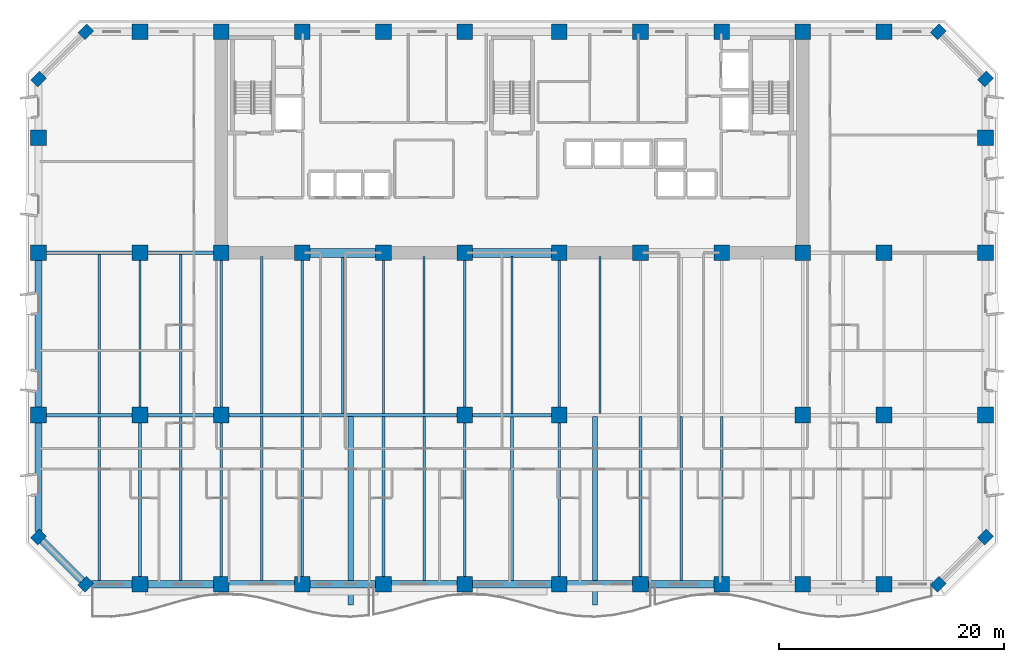
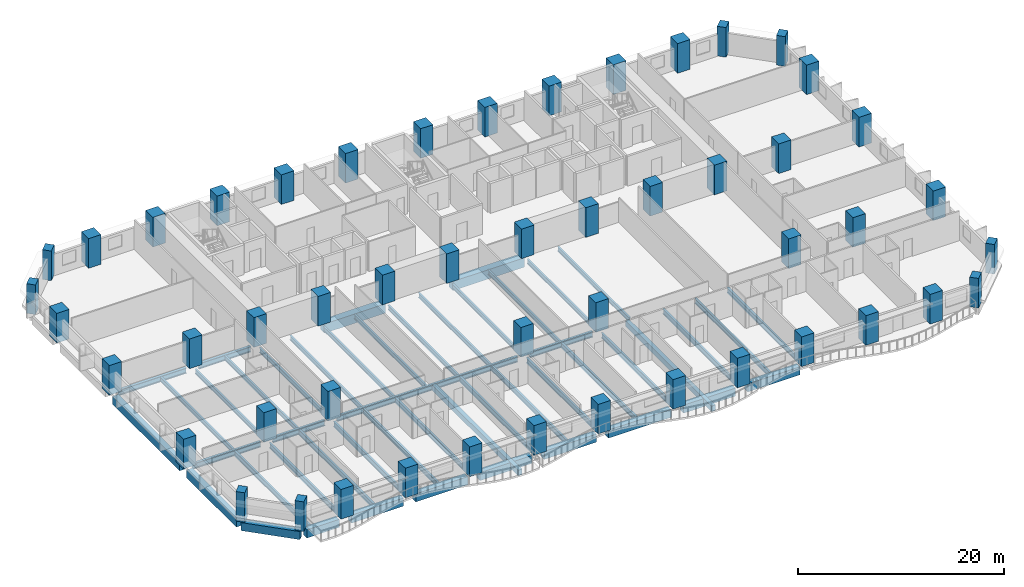
# One storey, part 1 of 15: 50 columns, 48 beams.
"""IFC4 building model written with IfcOpenShell, lengths in metres."""

from ifc_helpers import new_model, si_unit, direction, frame, origin, origin_2d, place, context, subcontext, project, spatial, rectangle, i_section, extrude, material, material_profile, profile_set, type_object, element, save


model = new_model("IFC4")

# Units and contexts
model_context = context("Model", 3, precision=1e-05, world=origin(), true_north=direction((0.0, 1.0)))
body_context = subcontext(model_context, "Body", "Model", "MODEL_VIEW")
ifc_project = project(units=[si_unit("LENGTHUNIT", "METRE"), si_unit("AREAUNIT", "SQUARE_METRE"), si_unit("VOLUMEUNIT", "CUBIC_METRE"), si_unit("PLANEANGLEUNIT", "RADIAN"), si_unit("MASSUNIT", "GRAM", prefix="KILO")], contexts=[model_context])

# Site, building, storey
site_placement = place(None, origin())
site = spatial("IfcSite", under=ifc_project, at=site_placement, CompositionType="ELEMENT")
building_placement = place(site_placement, origin())
building = spatial("IfcBuilding", under=site, at=building_placement, Name="Kaelvorn Grand Hotel", CompositionType="ELEMENT")
storey_placement = place(building_placement, frame((0.0, 0.0, 38.89990234375)))
storey = spatial("IfcBuildingStorey", under=building, at=storey_placement, Name="L07", CompositionType="ELEMENT", Elevation=38.89990234375)

# Columns
ifc_material_1 = material(Name="Concrete C80/95", Category="concrete")
ifc_material_profile_1 = material_profile(ifc_material_1, rectangle(XDim=1.10009765625, YDim=0.89990234375, at=origin_2d()), Name="RC PILASTER 1100x900")
ifc_profile_set_1 = profile_set([ifc_material_profile_1], Name="Concrete C80/95")
column_type_1 = type_object("IfcColumnType", Name="COL-PIL-1100x900-C80", PredefinedType="PILASTER", material=ifc_profile_set_1)
for number, where, z_axis, x_axis, name in (
    (1, (4.199951171875, 0.0, 0.0), (0.0, 0.0, 1.0), (0.707106781187, 0.707106781187, 0.0), "L07 Structural Column CH-01"),
    (2, (79.800048828125, 0.0, 0.0), (0.0, 0.0, 1.0), (0.707106781187, 0.707106781187, 0.0), "L07 Structural Column CH-02"),
    (3, (84.0, 4.199951171875, 0.0), (0.0, 0.0, 1.0), (0.707106781187, 0.707106781187, 0.0), "L07 Structural Column CH-03"),
    (4, (84.0, 44.800048828125, 0.0), (0.0, 0.0, 1.0), (0.707106781187, 0.707106781187, 0.0), "L07 Structural Column CH-04"),
    (5, (79.800048828125, 49.0, 0.0), (0.0, 0.0, 1.0), (0.707106781187, 0.707106781187, 0.0), "L07 Structural Column CH-05"),
    (6, (4.199951171875, 49.0, 0.0), (0.0, 0.0, 1.0), (0.707106781187, 0.707106781187, 0.0), "L07 Structural Column CH-06"),
    (7, (0.0, 44.800048828125, 0.0), (0.0, 0.0, 1.0), (0.707106781187, 0.707106781187, 0.0), "L07 Structural Column CH-07"),
    (8, (0.0, 4.199951171875, 0.0), (0.0, 0.0, 1.0), (0.707106781187, 0.707106781187, 0.0), "L07 Structural Column CH-08"),
):
    element("IfcColumn", number, at=place(storey_placement, frame(where, z_axis=z_axis, x_axis=x_axis)), inside=storey, type_object=column_type_1, Name=name, PredefinedType="PILASTER", context=body_context, shape_type="SweptSolid", body=[
        extrude(rectangle(XDim=1.10009765625, YDim=0.89990234375, at=origin_2d()), origin(), (0.0, 0.0, 1.0), 3.510009765625),
    ])
ifc_material_profile_2 = material_profile(ifc_material_1, rectangle(XDim=1.39990234375, YDim=1.39990234375, at=origin_2d()), Name="RC COL 1400x1400")
ifc_profile_set_2 = profile_set([ifc_material_profile_2], Name="Concrete C80/95")
column_type_2 = type_object("IfcColumnType", Name="COL-RC-1400-C80", PredefinedType="COLUMN", material=ifc_profile_set_2)
for number, where, z_axis, x_axis, name in (
    (9, (9.0, 0.0, 0.0), (0.0, 0.0, 1.0), (1.0, 0.0, 0.0), "L07 Structural Column S-01"),
    (10, (16.199951171875, 0.0, 0.0), (0.0, 0.0, 1.0), (1.0, 0.0, 0.0), "L07 Structural Column S-02"),
    (11, (23.39990234375, 0.0, 0.0), (0.0, 0.0, 1.0), (1.0, 0.0, 0.0), "L07 Structural Column S-03"),
    (12, (30.60009765625, 0.0, 0.0), (0.0, 0.0, 1.0), (1.0, 0.0, 0.0), "L07 Structural Column S-04"),
    (13, (37.800048828125, 0.0, 0.0), (0.0, 0.0, 1.0), (1.0, 0.0, 0.0), "L07 Structural Column S-05"),
    (14, (46.199951171875, 0.0, 0.0), (0.0, 0.0, 1.0), (1.0, 0.0, 0.0), "L07 Structural Column S-06"),
    (15, (53.39990234375, 0.0, 0.0), (0.0, 0.0, 1.0), (1.0, 0.0, 0.0), "L07 Structural Column S-07"),
    (16, (60.60009765625, 0.0, 0.0), (0.0, 0.0, 1.0), (1.0, 0.0, 0.0), "L07 Structural Column S-08"),
    (17, (67.800048828125, 0.0, 0.0), (0.0, 0.0, 1.0), (1.0, 0.0, 0.0), "L07 Structural Column S-09"),
    (18, (75.0, 0.0, 0.0), (0.0, 0.0, 1.0), (1.0, 0.0, 0.0), "L07 Structural Column S-10"),
    (19, (0.0, 15.0, 0.0), (0.0, 0.0, 1.0), (1.0, 0.0, 0.0), "L07 Structural Column W-01"),
    (20, (84.0, 15.0, 0.0), (0.0, 0.0, 1.0), (1.0, 0.0, 0.0), "L07 Structural Column E-01"),
    (21, (0.0, 29.39990234375, 0.0), (0.0, 0.0, 1.0), (1.0, 0.0, 0.0), "L07 Structural Column W-02"),
    (22, (84.0, 29.39990234375, 0.0), (0.0, 0.0, 1.0), (1.0, 0.0, 0.0), "L07 Structural Column E-02"),
    (23, (0.0, 39.60009765625, 0.0), (0.0, 0.0, 1.0), (1.0, 0.0, 0.0), "L07 Structural Column W-03"),
    (24, (84.0, 39.60009765625, 0.0), (0.0, 0.0, 1.0), (1.0, 0.0, 0.0), "L07 Structural Column E-03"),
    (25, (9.0, 15.0, 0.0), (0.0, 0.0, 1.0), (1.0, 0.0, 0.0), "L07 Structural Column M-01"),
    (26, (16.199951171875, 15.0, 0.0), (0.0, 0.0, 1.0), (1.0, 0.0, 0.0), "L07 Structural Column M-02"),
    (27, (37.800048828125, 15.0, 0.0), (0.0, 0.0, 1.0), (1.0, 0.0, 0.0), "L07 Structural Column M-03"),
    (28, (46.199951171875, 15.0, 0.0), (0.0, 0.0, 1.0), (1.0, 0.0, 0.0), "L07 Structural Column M-04"),
    (29, (67.800048828125, 15.0, 0.0), (0.0, 0.0, 1.0), (1.0, 0.0, 0.0), "L07 Structural Column M-05"),
    (30, (75.0, 15.0, 0.0), (0.0, 0.0, 1.0), (1.0, 0.0, 0.0), "L07 Structural Column M-06"),
    (31, (9.0, 29.39990234375, 0.0), (0.0, 0.0, 1.0), (1.0, 0.0, 0.0), "L07 Structural Column CR1-01"),
    (32, (9.0, 49.0, 0.0), (0.0, 0.0, 1.0), (1.0, 0.0, 0.0), "L07 Structural Column CR2-01"),
    (33, (16.199951171875, 29.39990234375, 0.0), (0.0, 0.0, 1.0), (1.0, 0.0, 0.0), "L07 Structural Column CR1-02"),
    (34, (16.199951171875, 49.0, 0.0), (0.0, 0.0, 1.0), (1.0, 0.0, 0.0), "L07 Structural Column CR2-02"),
    (35, (23.39990234375, 29.39990234375, 0.0), (0.0, 0.0, 1.0), (1.0, 0.0, 0.0), "L07 Structural Column CR1-03"),
    (36, (23.39990234375, 49.0, 0.0), (0.0, 0.0, 1.0), (1.0, 0.0, 0.0), "L07 Structural Column CR2-03"),
    (37, (30.60009765625, 29.39990234375, 0.0), (0.0, 0.0, 1.0), (1.0, 0.0, 0.0), "L07 Structural Column CR1-04"),
    (38, (30.60009765625, 49.0, 0.0), (0.0, 0.0, 1.0), (1.0, 0.0, 0.0), "L07 Structural Column CR2-04"),
    (39, (37.800048828125, 29.39990234375, 0.0), (0.0, 0.0, 1.0), (1.0, 0.0, 0.0), "L07 Structural Column CR1-05"),
    (40, (37.800048828125, 49.0, 0.0), (0.0, 0.0, 1.0), (1.0, 0.0, 0.0), "L07 Structural Column CR2-05"),
    (41, (46.199951171875, 29.39990234375, 0.0), (0.0, 0.0, 1.0), (1.0, 0.0, 0.0), "L07 Structural Column CR1-06"),
    (42, (46.199951171875, 49.0, 0.0), (0.0, 0.0, 1.0), (1.0, 0.0, 0.0), "L07 Structural Column CR2-06"),
    (43, (53.39990234375, 29.39990234375, 0.0), (0.0, 0.0, 1.0), (1.0, 0.0, 0.0), "L07 Structural Column CR1-07"),
    (44, (53.39990234375, 49.0, 0.0), (0.0, 0.0, 1.0), (1.0, 0.0, 0.0), "L07 Structural Column CR2-07"),
    (45, (60.60009765625, 29.39990234375, 0.0), (0.0, 0.0, 1.0), (1.0, 0.0, 0.0), "L07 Structural Column CR1-08"),
    (46, (60.60009765625, 49.0, 0.0), (0.0, 0.0, 1.0), (1.0, 0.0, 0.0), "L07 Structural Column CR2-08"),
    (47, (67.800048828125, 29.39990234375, 0.0), (0.0, 0.0, 1.0), (1.0, 0.0, 0.0), "L07 Structural Column CR1-09"),
    (48, (67.800048828125, 49.0, 0.0), (0.0, 0.0, 1.0), (1.0, 0.0, 0.0), "L07 Structural Column CR2-09"),
    (49, (75.0, 29.39990234375, 0.0), (0.0, 0.0, 1.0), (1.0, 0.0, 0.0), "L07 Structural Column CR1-10"),
    (50, (75.0, 49.0, 0.0), (0.0, 0.0, 1.0), (1.0, 0.0, 0.0), "L07 Structural Column CR2-10"),
):
    element("IfcColumn", number, at=place(storey_placement, frame(where, z_axis=z_axis, x_axis=x_axis)), inside=storey, type_object=column_type_2, Name=name, PredefinedType="COLUMN", context=body_context, shape_type="SweptSolid", body=[
        extrude(rectangle(XDim=1.39990234375, YDim=1.39990234375, at=origin_2d()), origin(), (0.0, 0.0, 1.0), 3.510009765625),
    ])

# Beams
ifc_material_2 = material(Name="Steel S355", Category="steel")
ifc_material_profile_3 = material_profile(ifc_material_2, i_section(OverallWidth=0.300048828125, OverallDepth=0.64990234375, WebThickness=0.01611328125, FlangeThickness=0.031005859375, FilletRadius=0.027099609375, at=origin_2d()), Name="HEB 650")
ifc_profile_set_3 = profile_set([ifc_material_profile_3], Name="Steel S355")
beam_type_1 = type_object("IfcBeamType", Name="BM-G-HEB650-S355", PredefinedType="BEAM", material=ifc_profile_set_3)
beam_1_placement = place(storey_placement, frame((0.68505859375, 15.0, -0.56494140625), z_axis=(1.0, 0.0, 0.0), x_axis=(0.0, 1.0, 0.0)))
element("IfcBeam", 51, at=beam_1_placement, inside=storey, type_object=beam_type_1, Name="L07 Primary Spine Steel Girder G-15 01", PredefinedType="BEAM", context=body_context, shape_type="SweptSolid", body=[
    extrude(i_section(OverallWidth=0.300048828125, OverallDepth=0.64990234375, WebThickness=0.01611328125, FlangeThickness=0.031005859375, FilletRadius=0.027099609375, at=origin_2d()), origin(), (0.0, 0.0, 1.0), 7.6298828125),
])
beam_2_placement = place(storey_placement, frame((9.68505859375, 15.0, -0.56494140625), z_axis=(1.0, 0.0, 0.0), x_axis=(0.0, 1.0, 0.0)))
element("IfcBeam", 52, at=beam_2_placement, inside=storey, type_object=beam_type_1, Name="L07 Primary Spine Steel Girder G-15 02", PredefinedType="BEAM", context=body_context, shape_type="SweptSolid", body=[
    extrude(i_section(OverallWidth=0.300048828125, OverallDepth=0.64990234375, WebThickness=0.01611328125, FlangeThickness=0.031005859375, FilletRadius=0.027099609375, at=origin_2d()), origin(), (0.0, 0.0, 1.0), 5.829833984375),
])
beam_3_placement = place(storey_placement, frame((16.885009765625, 15.0, -0.56494140625), z_axis=(1.0, 0.0, 0.0), x_axis=(0.0, 1.0, 0.0)))
element("IfcBeam", 53, at=beam_3_placement, inside=storey, type_object=beam_type_1, Name="L07 Primary Spine Steel Girder G-15 03", PredefinedType="BEAM", context=body_context, shape_type="SweptSolid", body=[
    extrude(i_section(OverallWidth=0.300048828125, OverallDepth=0.64990234375, WebThickness=0.01611328125, FlangeThickness=0.031005859375, FilletRadius=0.027099609375, at=origin_2d()), origin(), (0.0, 0.0, 1.0), 20.22998046875),
])
beam_4_placement = place(storey_placement, frame((38.485107421875, 15.0, -0.56494140625), z_axis=(1.0, 0.0, 0.0), x_axis=(0.0, 1.0, 0.0)))
element("IfcBeam", 54, at=beam_4_placement, inside=storey, type_object=beam_type_1, Name="L07 Primary Spine Steel Girder G-15 04", PredefinedType="BEAM", context=body_context, shape_type="SweptSolid", body=[
    extrude(i_section(OverallWidth=0.300048828125, OverallDepth=0.64990234375, WebThickness=0.01611328125, FlangeThickness=0.031005859375, FilletRadius=0.027099609375, at=origin_2d()), origin(), (0.0, 0.0, 1.0), 7.02978515625),
])
beam_5_placement = place(storey_placement, frame((0.68505859375, 29.39990234375, -0.56494140625), z_axis=(1.0, 0.0, 0.0), x_axis=(0.0, 1.0, 0.0)))
element("IfcBeam", 55, at=beam_5_placement, inside=storey, type_object=beam_type_1, Name="L07 West Core Wing Steel Girder G-29W 01", PredefinedType="BEAM", context=body_context, shape_type="SweptSolid", body=[
    extrude(i_section(OverallWidth=0.300048828125, OverallDepth=0.64990234375, WebThickness=0.01611328125, FlangeThickness=0.031005859375, FilletRadius=0.027099609375, at=origin_2d()), origin(), (0.0, 0.0, 1.0), 7.6298828125),
])
beam_6_placement = place(storey_placement, frame((9.68505859375, 29.39990234375, -0.56494140625), z_axis=(1.0, 0.0, 0.0), x_axis=(0.0, 1.0, 0.0)))
element("IfcBeam", 56, at=beam_6_placement, inside=storey, type_object=beam_type_1, Name="L07 West Core Wing Steel Girder G-29W 02", PredefinedType="BEAM", context=body_context, shape_type="SweptSolid", body=[
    extrude(i_section(OverallWidth=0.300048828125, OverallDepth=0.64990234375, WebThickness=0.01611328125, FlangeThickness=0.031005859375, FilletRadius=0.027099609375, at=origin_2d()), origin(), (0.0, 0.0, 1.0), 5.829833984375),
])
ifc_material_profile_4 = material_profile(ifc_material_2, i_section(OverallWidth=0.209228515625, OverallDepth=0.533203125, WebThickness=0.010009765625, FlangeThickness=0.015625, FilletRadius=0.0126953125, at=origin_2d()), Name="UB 533x210x92")
ifc_profile_set_4 = profile_set([ifc_material_profile_4], Name="Steel S355")
beam_type_2 = type_object("IfcBeamType", Name="BM-J-UB533-S355", PredefinedType="JOIST", material=ifc_profile_set_4)
beam_7_placement = place(storey_placement, frame((5.39990234375, 15.135009765625, -0.50634765625), z_axis=(0.0, 1.0, 0.0), x_axis=(-1.0, 0.0, 0.0)))
element("IfcBeam", 57, at=beam_7_placement, inside=storey, type_object=beam_type_2, Name="L07 Composite Floor Joist JM-02", PredefinedType="JOIST", context=body_context, shape_type="SweptSolid", body=[
    extrude(i_section(OverallWidth=0.209228515625, OverallDepth=0.533203125, WebThickness=0.010009765625, FlangeThickness=0.015625, FilletRadius=0.0126953125, at=origin_2d()), origin(), (0.0, 0.0, 1.0), 14.1298828125),
])
beam_8_placement = place(storey_placement, frame((9.0, 15.68505859375, -0.50634765625), z_axis=(0.0, 1.0, 0.0), x_axis=(-1.0, 0.0, 0.0)))
element("IfcBeam", 58, at=beam_8_placement, inside=storey, type_object=beam_type_2, Name="L07 Composite Floor Joist JM-03", PredefinedType="JOIST", context=body_context, shape_type="SweptSolid", body=[
    extrude(i_section(OverallWidth=0.209228515625, OverallDepth=0.533203125, WebThickness=0.010009765625, FlangeThickness=0.015625, FilletRadius=0.0126953125, at=origin_2d()), origin(), (0.0, 0.0, 1.0), 13.030029296875),
])
beam_9_placement = place(storey_placement, frame((12.60009765625, 15.135009765625, -0.50634765625), z_axis=(0.0, 1.0, 0.0), x_axis=(-1.0, 0.0, 0.0)))
element("IfcBeam", 59, at=beam_9_placement, inside=storey, type_object=beam_type_2, Name="L07 Composite Floor Joist JM-04", PredefinedType="JOIST", context=body_context, shape_type="SweptSolid", body=[
    extrude(i_section(OverallWidth=0.209228515625, OverallDepth=0.533203125, WebThickness=0.010009765625, FlangeThickness=0.015625, FilletRadius=0.0126953125, at=origin_2d()), origin(), (0.0, 0.0, 1.0), 14.1298828125),
])
beam_10_placement = place(storey_placement, frame((16.199951171875, 15.68505859375, -0.50634765625), z_axis=(0.0, 1.0, 0.0), x_axis=(-1.0, 0.0, 0.0)))
element("IfcBeam", 60, at=beam_10_placement, inside=storey, type_object=beam_type_2, Name="L07 Composite Floor Joist JM-05", PredefinedType="JOIST", context=body_context, shape_type="SweptSolid", body=[
    extrude(i_section(OverallWidth=0.209228515625, OverallDepth=0.533203125, WebThickness=0.010009765625, FlangeThickness=0.015625, FilletRadius=0.0126953125, at=origin_2d()), origin(), (0.0, 0.0, 1.0), 13.030029296875),
])
beam_11_placement = place(storey_placement, frame((19.800048828125, 15.135009765625, -0.50634765625), z_axis=(0.0, 1.0, 0.0), x_axis=(-1.0, 0.0, 0.0)))
element("IfcBeam", 61, at=beam_11_placement, inside=storey, type_object=beam_type_2, Name="L07 Composite Floor Joist JM-06", PredefinedType="JOIST", context=body_context, shape_type="SweptSolid", body=[
    extrude(i_section(OverallWidth=0.209228515625, OverallDepth=0.533203125, WebThickness=0.010009765625, FlangeThickness=0.015625, FilletRadius=0.0126953125, at=origin_2d()), origin(), (0.0, 0.0, 1.0), 13.925048828125),
])
beam_12_placement = place(storey_placement, frame((23.39990234375, 15.135009765625, -0.50634765625), z_axis=(0.0, 1.0, 0.0), x_axis=(-1.0, 0.0, 0.0)))
element("IfcBeam", 62, at=beam_12_placement, inside=storey, type_object=beam_type_2, Name="L07 Composite Floor Joist JM-07", PredefinedType="JOIST", context=body_context, shape_type="SweptSolid", body=[
    extrude(i_section(OverallWidth=0.209228515625, OverallDepth=0.533203125, WebThickness=0.010009765625, FlangeThickness=0.015625, FilletRadius=0.0126953125, at=origin_2d()), origin(), (0.0, 0.0, 1.0), 13.580078125),
])
beam_13_placement = place(storey_placement, frame((27.0, 15.135009765625, -0.50634765625), z_axis=(0.0, 1.0, 0.0), x_axis=(-1.0, 0.0, 0.0)))
element("IfcBeam", 63, at=beam_13_placement, inside=storey, type_object=beam_type_2, Name="L07 Composite Floor Joist JM-08", PredefinedType="JOIST", context=body_context, shape_type="SweptSolid", body=[
    extrude(i_section(OverallWidth=0.209228515625, OverallDepth=0.533203125, WebThickness=0.010009765625, FlangeThickness=0.015625, FilletRadius=0.0126953125, at=origin_2d()), origin(), (0.0, 0.0, 1.0), 13.925048828125),
])
beam_14_placement = place(storey_placement, frame((30.60009765625, 15.135009765625, -0.50634765625), z_axis=(0.0, 1.0, 0.0), x_axis=(-1.0, 0.0, 0.0)))
element("IfcBeam", 64, at=beam_14_placement, inside=storey, type_object=beam_type_2, Name="L07 Composite Floor Joist JM-09", PredefinedType="JOIST", context=body_context, shape_type="SweptSolid", body=[
    extrude(i_section(OverallWidth=0.209228515625, OverallDepth=0.533203125, WebThickness=0.010009765625, FlangeThickness=0.015625, FilletRadius=0.0126953125, at=origin_2d()), origin(), (0.0, 0.0, 1.0), 13.580078125),
])
beam_15_placement = place(storey_placement, frame((34.199951171875, 15.135009765625, -0.50634765625), z_axis=(0.0, 1.0, 0.0), x_axis=(-1.0, 0.0, 0.0)))
element("IfcBeam", 65, at=beam_15_placement, inside=storey, type_object=beam_type_2, Name="L07 Composite Floor Joist JM-10", PredefinedType="JOIST", context=body_context, shape_type="SweptSolid", body=[
    extrude(i_section(OverallWidth=0.209228515625, OverallDepth=0.533203125, WebThickness=0.010009765625, FlangeThickness=0.015625, FilletRadius=0.0126953125, at=origin_2d()), origin(), (0.0, 0.0, 1.0), 13.925048828125),
])
beam_16_placement = place(storey_placement, frame((37.800048828125, 15.68505859375, -0.50634765625), z_axis=(0.0, 1.0, 0.0), x_axis=(-1.0, 0.0, 0.0)))
element("IfcBeam", 66, at=beam_16_placement, inside=storey, type_object=beam_type_2, Name="L07 Composite Floor Joist JM-11", PredefinedType="JOIST", context=body_context, shape_type="SweptSolid", body=[
    extrude(i_section(OverallWidth=0.209228515625, OverallDepth=0.533203125, WebThickness=0.010009765625, FlangeThickness=0.015625, FilletRadius=0.0126953125, at=origin_2d()), origin(), (0.0, 0.0, 1.0), 13.030029296875),
])
beam_17_placement = place(storey_placement, frame((42.0, 15.135009765625, -0.50634765625), z_axis=(0.0, 1.0, 0.0), x_axis=(-1.0, 0.0, 0.0)))
element("IfcBeam", 67, at=beam_17_placement, inside=storey, type_object=beam_type_2, Name="L07 Composite Floor Joist JM-12", PredefinedType="JOIST", context=body_context, shape_type="SweptSolid", body=[
    extrude(i_section(OverallWidth=0.209228515625, OverallDepth=0.533203125, WebThickness=0.010009765625, FlangeThickness=0.015625, FilletRadius=0.0126953125, at=origin_2d()), origin(), (0.0, 0.0, 1.0), 13.925048828125),
])
beam_18_placement = place(storey_placement, frame((46.199951171875, 15.68505859375, -0.50634765625), z_axis=(0.0, 1.0, 0.0), x_axis=(-1.0, 0.0, 0.0)))
element("IfcBeam", 68, at=beam_18_placement, inside=storey, type_object=beam_type_2, Name="L07 Composite Floor Joist JM-13", PredefinedType="JOIST", context=body_context, shape_type="SweptSolid", body=[
    extrude(i_section(OverallWidth=0.209228515625, OverallDepth=0.533203125, WebThickness=0.010009765625, FlangeThickness=0.015625, FilletRadius=0.0126953125, at=origin_2d()), origin(), (0.0, 0.0, 1.0), 13.030029296875),
])
beam_19_placement = place(storey_placement, frame((49.800048828125, 15.135009765625, -0.50634765625), z_axis=(0.0, 1.0, 0.0), x_axis=(-1.0, 0.0, 0.0)))
element("IfcBeam", 69, at=beam_19_placement, inside=storey, type_object=beam_type_2, Name="L07 Composite Floor Joist JM-14", PredefinedType="JOIST", context=body_context, shape_type="SweptSolid", body=[
    extrude(i_section(OverallWidth=0.209228515625, OverallDepth=0.533203125, WebThickness=0.010009765625, FlangeThickness=0.015625, FilletRadius=0.0126953125, at=origin_2d()), origin(), (0.0, 0.0, 1.0), 13.925048828125),
])
ifc_material_profile_5 = material_profile(ifc_material_2, i_section(OverallWidth=0.22900390625, OverallDepth=0.6123046875, WebThickness=0.011962890625, FlangeThickness=0.01953125, FilletRadius=0.0126953125, at=origin_2d()), Name="UB 610x229x125")
ifc_profile_set_5 = profile_set([ifc_material_profile_5], Name="Steel S355")
beam_type_3 = type_object("IfcBeamType", Name="BM-J-UB610-S355", PredefinedType="JOIST", material=ifc_profile_set_5)
beam_20_placement = place(storey_placement, frame((5.39990234375, 0.31005859375, -0.5458984375), z_axis=(0.0, 1.0, 0.0), x_axis=(-1.0, 0.0, 0.0)))
element("IfcBeam", 70, at=beam_20_placement, inside=storey, type_object=beam_type_3, Name="L07 Composite Floor Joist JS-02", PredefinedType="JOIST", context=body_context, shape_type="SweptSolid", body=[
    extrude(i_section(OverallWidth=0.22900390625, OverallDepth=0.6123046875, WebThickness=0.011962890625, FlangeThickness=0.01953125, FilletRadius=0.0126953125, at=origin_2d()), origin(), (0.0, 0.0, 1.0), 14.554931640625),
])
beam_21_placement = place(storey_placement, frame((9.0, 0.68505859375, -0.5458984375), z_axis=(0.0, 1.0, 0.0), x_axis=(-1.0, 0.0, 0.0)))
element("IfcBeam", 71, at=beam_21_placement, inside=storey, type_object=beam_type_3, Name="L07 Composite Floor Joist JS-03", PredefinedType="JOIST", context=body_context, shape_type="SweptSolid", body=[
    extrude(i_section(OverallWidth=0.22900390625, OverallDepth=0.6123046875, WebThickness=0.011962890625, FlangeThickness=0.01953125, FilletRadius=0.0126953125, at=origin_2d()), origin(), (0.0, 0.0, 1.0), 13.6298828125),
])
beam_22_placement = place(storey_placement, frame((12.60009765625, 0.31005859375, -0.5458984375), z_axis=(0.0, 1.0, 0.0), x_axis=(-1.0, 0.0, 0.0)))
element("IfcBeam", 72, at=beam_22_placement, inside=storey, type_object=beam_type_3, Name="L07 Composite Floor Joist JS-04", PredefinedType="JOIST", context=body_context, shape_type="SweptSolid", body=[
    extrude(i_section(OverallWidth=0.22900390625, OverallDepth=0.6123046875, WebThickness=0.011962890625, FlangeThickness=0.01953125, FilletRadius=0.0126953125, at=origin_2d()), origin(), (0.0, 0.0, 1.0), 14.554931640625),
])
beam_23_placement = place(storey_placement, frame((16.199951171875, 0.68505859375, -0.5458984375), z_axis=(0.0, 1.0, 0.0), x_axis=(-1.0, 0.0, 0.0)))
element("IfcBeam", 73, at=beam_23_placement, inside=storey, type_object=beam_type_3, Name="L07 Composite Floor Joist JS-05", PredefinedType="JOIST", context=body_context, shape_type="SweptSolid", body=[
    extrude(i_section(OverallWidth=0.22900390625, OverallDepth=0.6123046875, WebThickness=0.011962890625, FlangeThickness=0.01953125, FilletRadius=0.0126953125, at=origin_2d()), origin(), (0.0, 0.0, 1.0), 13.6298828125),
])
beam_24_placement = place(storey_placement, frame((19.800048828125, 0.31005859375, -0.5458984375), z_axis=(0.0, 1.0, 0.0), x_axis=(-1.0, 0.0, 0.0)))
element("IfcBeam", 74, at=beam_24_placement, inside=storey, type_object=beam_type_3, Name="L07 Composite Floor Joist JS-06", PredefinedType="JOIST", context=body_context, shape_type="SweptSolid", body=[
    extrude(i_section(OverallWidth=0.22900390625, OverallDepth=0.6123046875, WebThickness=0.011962890625, FlangeThickness=0.01953125, FilletRadius=0.0126953125, at=origin_2d()), origin(), (0.0, 0.0, 1.0), 14.554931640625),
])
for number, where, z_axis, x_axis, name in (
    (75, (23.39990234375, 0.68505859375, -0.5458984375), (0.0, 1.0, 0.0), (-1.0, 0.0, 0.0), "L07 Composite Floor Joist JS-07"),
    (76, (30.60009765625, 0.68505859375, -0.5458984375), (0.0, 1.0, 0.0), (-1.0, 0.0, 0.0), "L07 Composite Floor Joist JS-09"),
):
    element("IfcBeam", number, at=place(storey_placement, frame(where, z_axis=z_axis, x_axis=x_axis)), inside=storey, type_object=beam_type_3, Name=name, PredefinedType="JOIST", context=body_context, shape_type="SweptSolid", body=[
        extrude(i_section(OverallWidth=0.22900390625, OverallDepth=0.6123046875, WebThickness=0.011962890625, FlangeThickness=0.01953125, FilletRadius=0.0126953125, at=origin_2d()), origin(), (0.0, 0.0, 1.0), 14.179931640625),
    ])
beam_25_placement = place(storey_placement, frame((34.199951171875, 0.31005859375, -0.5458984375), z_axis=(0.0, 1.0, 0.0), x_axis=(-1.0, 0.0, 0.0)))
element("IfcBeam", 77, at=beam_25_placement, inside=storey, type_object=beam_type_3, Name="L07 Composite Floor Joist JS-10", PredefinedType="JOIST", context=body_context, shape_type="SweptSolid", body=[
    extrude(i_section(OverallWidth=0.22900390625, OverallDepth=0.6123046875, WebThickness=0.011962890625, FlangeThickness=0.01953125, FilletRadius=0.0126953125, at=origin_2d()), origin(), (0.0, 0.0, 1.0), 14.554931640625),
])
beam_26_placement = place(storey_placement, frame((37.800048828125, 0.68505859375, -0.5458984375), z_axis=(0.0, 1.0, 0.0), x_axis=(-1.0, 0.0, 0.0)))
element("IfcBeam", 78, at=beam_26_placement, inside=storey, type_object=beam_type_3, Name="L07 Composite Floor Joist JS-11", PredefinedType="JOIST", context=body_context, shape_type="SweptSolid", body=[
    extrude(i_section(OverallWidth=0.22900390625, OverallDepth=0.6123046875, WebThickness=0.011962890625, FlangeThickness=0.01953125, FilletRadius=0.0126953125, at=origin_2d()), origin(), (0.0, 0.0, 1.0), 13.6298828125),
])
beam_27_placement = place(storey_placement, frame((42.0, 0.31005859375, -0.5458984375), z_axis=(0.0, 1.0, 0.0), x_axis=(-1.0, 0.0, 0.0)))
element("IfcBeam", 79, at=beam_27_placement, inside=storey, type_object=beam_type_3, Name="L07 Composite Floor Joist JS-12", PredefinedType="JOIST", context=body_context, shape_type="SweptSolid", body=[
    extrude(i_section(OverallWidth=0.22900390625, OverallDepth=0.6123046875, WebThickness=0.011962890625, FlangeThickness=0.01953125, FilletRadius=0.0126953125, at=origin_2d()), origin(), (0.0, 0.0, 1.0), 14.554931640625),
])
beam_28_placement = place(storey_placement, frame((46.199951171875, 0.68505859375, -0.5458984375), z_axis=(0.0, 1.0, 0.0), x_axis=(-1.0, 0.0, 0.0)))
element("IfcBeam", 80, at=beam_28_placement, inside=storey, type_object=beam_type_3, Name="L07 Composite Floor Joist JS-13", PredefinedType="JOIST", context=body_context, shape_type="SweptSolid", body=[
    extrude(i_section(OverallWidth=0.22900390625, OverallDepth=0.6123046875, WebThickness=0.011962890625, FlangeThickness=0.01953125, FilletRadius=0.0126953125, at=origin_2d()), origin(), (0.0, 0.0, 1.0), 13.6298828125),
])
beam_29_placement = place(storey_placement, frame((53.39990234375, 0.68505859375, -0.5458984375), z_axis=(0.0, 1.0, 0.0), x_axis=(-1.0, 0.0, 0.0)))
element("IfcBeam", 81, at=beam_29_placement, inside=storey, type_object=beam_type_3, Name="L07 Composite Floor Joist JS-15", PredefinedType="JOIST", context=body_context, shape_type="SweptSolid", body=[
    extrude(i_section(OverallWidth=0.22900390625, OverallDepth=0.6123046875, WebThickness=0.011962890625, FlangeThickness=0.01953125, FilletRadius=0.0126953125, at=origin_2d()), origin(), (0.0, 0.0, 1.0), 14.179931640625),
])
beam_30_placement = place(storey_placement, frame((57.0, 0.31005859375, -0.5458984375), z_axis=(0.0, 1.0, 0.0), x_axis=(-1.0, 0.0, 0.0)))
element("IfcBeam", 82, at=beam_30_placement, inside=storey, type_object=beam_type_3, Name="L07 Composite Floor Joist JS-16", PredefinedType="JOIST", context=body_context, shape_type="SweptSolid", body=[
    extrude(i_section(OverallWidth=0.22900390625, OverallDepth=0.6123046875, WebThickness=0.011962890625, FlangeThickness=0.01953125, FilletRadius=0.0126953125, at=origin_2d()), origin(), (0.0, 0.0, 1.0), 14.554931640625),
])
beam_31_placement = place(storey_placement, frame((60.60009765625, 0.68505859375, -0.5458984375), z_axis=(0.0, 1.0, 0.0), x_axis=(-1.0, 0.0, 0.0)))
element("IfcBeam", 83, at=beam_31_placement, inside=storey, type_object=beam_type_3, Name="L07 Composite Floor Joist JS-17", PredefinedType="JOIST", context=body_context, shape_type="SweptSolid", body=[
    extrude(i_section(OverallWidth=0.22900390625, OverallDepth=0.6123046875, WebThickness=0.011962890625, FlangeThickness=0.01953125, FilletRadius=0.0126953125, at=origin_2d()), origin(), (0.0, 0.0, 1.0), 14.179931640625),
])
ifc_material_3 = material(Name="Concrete C60/75", Category="concrete")
ifc_material_profile_6 = material_profile(ifc_material_3, rectangle(XDim=0.800048828125, YDim=1.10009765625, at=origin_2d()), Name="RC LINTEL 800x1100")
ifc_profile_set_6 = profile_set([ifc_material_profile_6], Name="Concrete C60/75")
beam_type_4 = type_object("IfcBeamType", Name="BM-LIN-800x1100-C60", PredefinedType="LINTEL", material=ifc_profile_set_6)
beam_32_placement = place(storey_placement, frame((23.580078125, 29.39990234375, -0.789794921875), z_axis=(1.0, 0.0, 0.0), x_axis=(0.0, 1.0, 0.0)))
element("IfcBeam", 84, at=beam_32_placement, inside=storey, type_object=beam_type_4, Name="L07 Rear-Core Coupling Lintel Beam CB1-01", PredefinedType="LINTEL", context=body_context, shape_type="SweptSolid", body=[
    extrude(rectangle(XDim=0.800048828125, YDim=1.10009765625, at=origin_2d()), origin(), (0.0, 0.0, 1.0), 6.83984375),
])
beam_33_placement = place(storey_placement, frame((37.97998046875, 29.39990234375, -0.789794921875), z_axis=(1.0, 0.0, 0.0), x_axis=(0.0, 1.0, 0.0)))
element("IfcBeam", 85, at=beam_33_placement, inside=storey, type_object=beam_type_4, Name="L07 Rear-Core Coupling Lintel Beam CB1-02", PredefinedType="LINTEL", context=body_context, shape_type="SweptSolid", body=[
    extrude(rectangle(XDim=0.800048828125, YDim=1.10009765625, at=origin_2d()), origin(), (0.0, 0.0, 1.0), 8.0400390625),
])
ifc_material_4 = material(Name="Concrete C40/50", Category="concrete")
ifc_material_profile_7 = material_profile(ifc_material_4, rectangle(XDim=0.449951171875, YDim=0.64990234375, at=origin_2d()), Name="RC RIB 450x650")
ifc_profile_set_7 = profile_set([ifc_material_profile_7], Name="Concrete C40/50")
beam_type_5 = type_object("IfcBeamType", Name="BM-RIB-450x650-C40", PredefinedType="SPANDREL", material=ifc_profile_set_7)
for number, where, z_axis, x_axis, name in (
    (86, (27.69775390625, -1.85009765625, -0.544921875), (0.0, 1.0, 0.0), (-1.0, 0.0, 0.0), "L07 Cantilevered Balcony Back-Span Rib RB1-1"),
    (87, (49.360107421875, -1.85009765625, -0.544921875), (0.0, 1.0, 0.0), (-1.0, 0.0, 0.0), "L07 Cantilevered Balcony Back-Span Rib RB1-2"),
):
    element("IfcBeam", number, at=place(storey_placement, frame(where, z_axis=z_axis, x_axis=x_axis)), inside=storey, type_object=beam_type_5, Name=name, PredefinedType="SPANDREL", context=body_context, shape_type="SweptSolid", body=[
        extrude(rectangle(XDim=0.449951171875, YDim=0.64990234375, at=origin_2d()), origin(), (0.0, 0.0, 1.0), 16.715087890625),
    ])
ifc_material_profile_8 = material_profile(ifc_material_3, rectangle(XDim=0.64990234375, YDim=0.949951171875, at=origin_2d()), Name="RC SPANDREL 650x950")
ifc_profile_set_8 = profile_set([ifc_material_profile_8], Name="Concrete C60/75")
beam_type_6 = type_object("IfcBeamType", Name="BM-SP-650x950-C60", PredefinedType="SPANDREL", material=ifc_profile_set_8)
beam_34_placement = place(storey_placement, frame((4.68505859375, 0.0, -0.71484375), z_axis=(1.0, 0.0, 0.0), x_axis=(0.0, 1.0, 0.0)))
element("IfcBeam", 88, at=beam_34_placement, inside=storey, type_object=beam_type_6, Name="L07 South Perimeter Spandrel 01", PredefinedType="SPANDREL", context=body_context, shape_type="SweptSolid", body=[
    extrude(rectangle(XDim=0.64990234375, YDim=0.949951171875, at=origin_2d()), origin(), (0.0, 0.0, 1.0), 3.6298828125),
])
beam_35_placement = place(storey_placement, frame((9.68505859375, 0.0, -0.71484375), z_axis=(1.0, 0.0, 0.0), x_axis=(0.0, 1.0, 0.0)))
element("IfcBeam", 89, at=beam_35_placement, inside=storey, type_object=beam_type_6, Name="L07 South Perimeter Spandrel 02", PredefinedType="SPANDREL", context=body_context, shape_type="SweptSolid", body=[
    extrude(rectangle(XDim=0.64990234375, YDim=0.949951171875, at=origin_2d()), origin(), (0.0, 0.0, 1.0), 5.829833984375),
])
for number, where, z_axis, x_axis, name in (
    (90, (16.885009765625, 0.0, -0.71484375), (1.0, 0.0, 0.0), (0.0, 1.0, 0.0), "L07 South Perimeter Spandrel 03"),
    (91, (24.0849609375, 0.0, -0.71484375), (1.0, 0.0, 0.0), (0.0, 1.0, 0.0), "L07 South Perimeter Spandrel 04"),
    (92, (31.284912109375, 0.0, -0.71484375), (1.0, 0.0, 0.0), (0.0, 1.0, 0.0), "L07 South Perimeter Spandrel 05"),
):
    element("IfcBeam", number, at=place(storey_placement, frame(where, z_axis=z_axis, x_axis=x_axis)), inside=storey, type_object=beam_type_6, Name=name, PredefinedType="SPANDREL", context=body_context, shape_type="SweptSolid", body=[
        extrude(rectangle(XDim=0.64990234375, YDim=0.949951171875, at=origin_2d()), origin(), (0.0, 0.0, 1.0), 5.830078125),
    ])
beam_36_placement = place(storey_placement, frame((38.485107421875, 0.0, -0.71484375), z_axis=(1.0, 0.0, 0.0), x_axis=(0.0, 1.0, 0.0)))
element("IfcBeam", 93, at=beam_36_placement, inside=storey, type_object=beam_type_6, Name="L07 South Perimeter Spandrel 06", PredefinedType="SPANDREL", context=body_context, shape_type="SweptSolid", body=[
    extrude(rectangle(XDim=0.64990234375, YDim=0.949951171875, at=origin_2d()), origin(), (0.0, 0.0, 1.0), 7.02978515625),
])
for number, where, z_axis, x_axis, name in (
    (94, (46.885009765625, 0.0, -0.71484375), (1.0, 0.0, 0.0), (0.0, 1.0, 0.0), "L07 South Perimeter Spandrel 07"),
    (95, (54.0849609375, 0.0, -0.71484375), (1.0, 0.0, 0.0), (0.0, 1.0, 0.0), "L07 South Perimeter Spandrel 08"),
):
    element("IfcBeam", number, at=place(storey_placement, frame(where, z_axis=z_axis, x_axis=x_axis)), inside=storey, type_object=beam_type_6, Name=name, PredefinedType="SPANDREL", context=body_context, shape_type="SweptSolid", body=[
        extrude(rectangle(XDim=0.64990234375, YDim=0.949951171875, at=origin_2d()), origin(), (0.0, 0.0, 1.0), 5.830078125),
    ])
beam_37_placement = place(storey_placement, frame((0.0, 4.68505859375, -0.71484375), z_axis=(0.0, 1.0, 0.0), x_axis=(-1.0, 0.0, 0.0)))
element("IfcBeam", 96, at=beam_37_placement, inside=storey, type_object=beam_type_6, Name="L07 West Perimeter Spandrel 01", PredefinedType="SPANDREL", context=body_context, shape_type="SweptSolid", body=[
    extrude(rectangle(XDim=0.64990234375, YDim=0.949951171875, at=origin_2d()), origin(), (0.0, 0.0, 1.0), 9.6298828125),
])
beam_38_placement = place(storey_placement, frame((0.0, 15.68505859375, -0.71484375), z_axis=(0.0, 1.0, 0.0), x_axis=(-1.0, 0.0, 0.0)))
element("IfcBeam", 97, at=beam_38_placement, inside=storey, type_object=beam_type_6, Name="L07 West Perimeter Spandrel 02", PredefinedType="SPANDREL", context=body_context, shape_type="SweptSolid", body=[
    extrude(rectangle(XDim=0.64990234375, YDim=0.949951171875, at=origin_2d()), origin(), (0.0, 0.0, 1.0), 13.030029296875),
])
beam_39_placement = place(storey_placement, frame((0.0, 4.199951171875, -0.71484375), z_axis=(0.707106781187, -0.707106781187, 0.0), x_axis=(0.707106781187, 0.707106781187, 0.0)))
element("IfcBeam", 98, at=beam_39_placement, inside=storey, type_object=beam_type_6, Name="L07 Chamfer Spandrel Beam 4", PredefinedType="SPANDREL", context=body_context, shape_type="SweptSolid", body=[
    extrude(rectangle(XDim=0.64990234375, YDim=0.949951171875, at=origin_2d()), origin(), (0.0, 0.0, 1.0), 5.939697265625),
])

save(model, "model.ifc")
